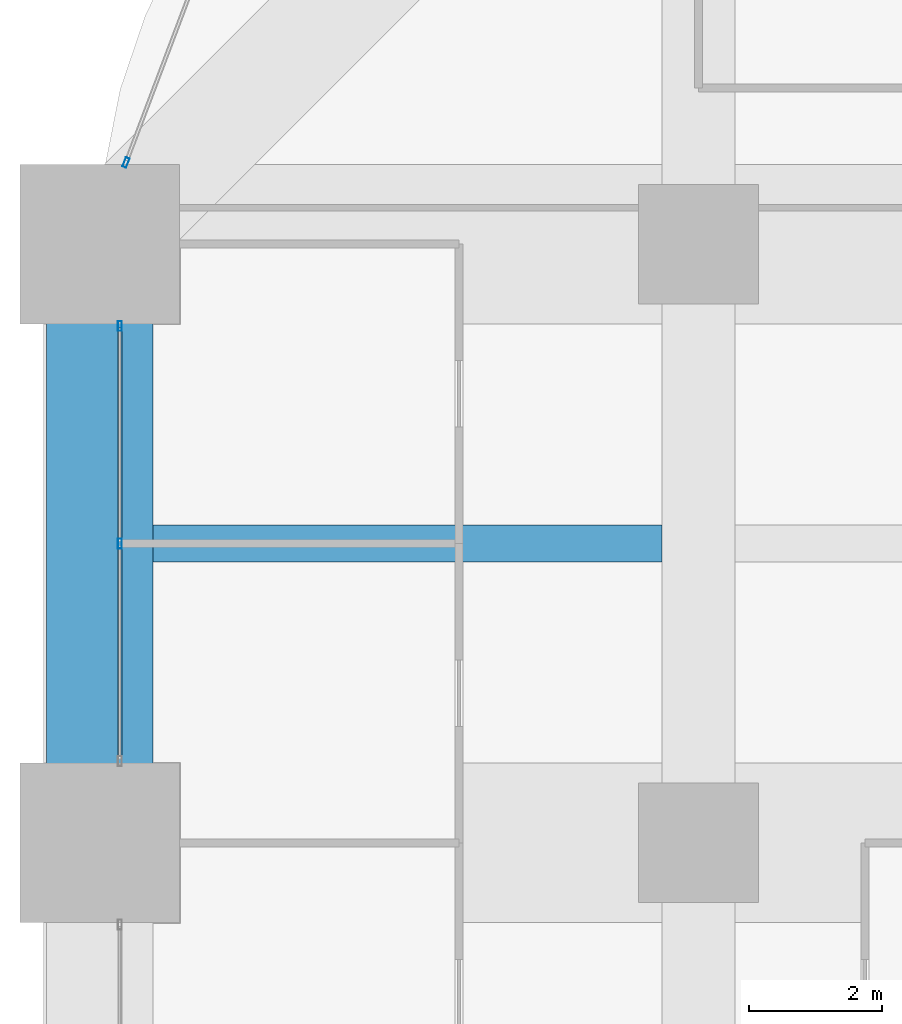
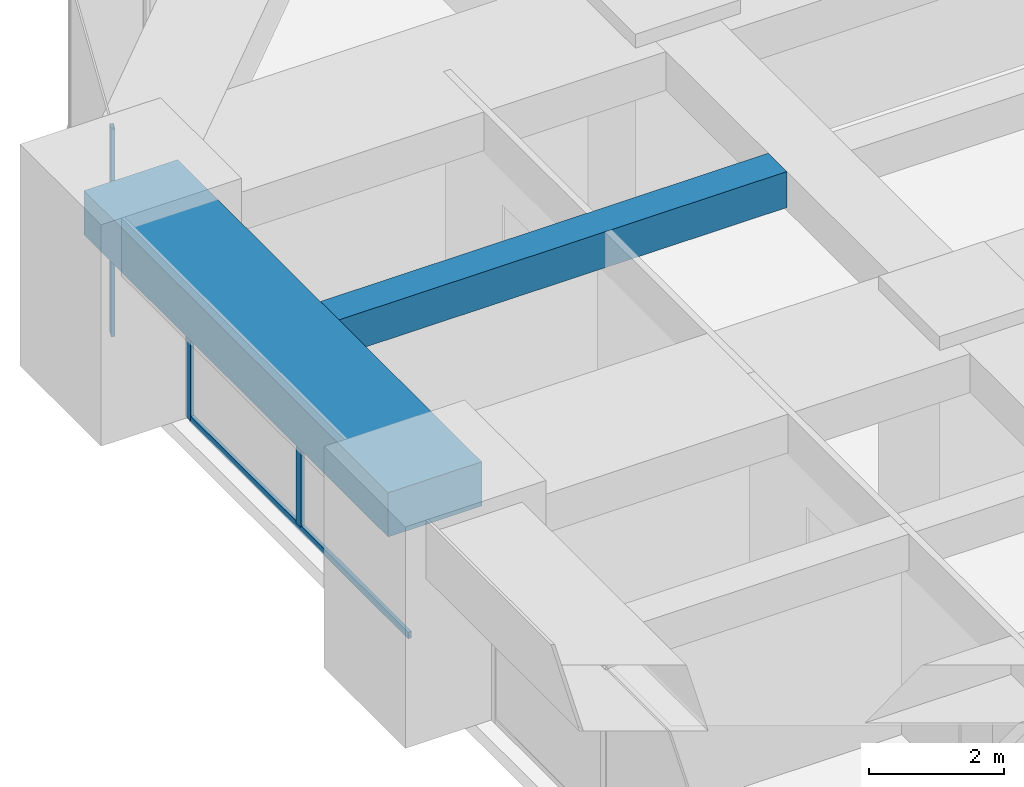
# One storey, part 24 of 43: 4 members, 2 beams, 2 elements without a shape of their own.
"""IFC4 building model written with IfcOpenShell, lengths in metres."""

from ifc_helpers import new_model, si_unit, direction, frame, origin, origin_2d, place, context, subcontext, project, spatial, rectangle, hollow_rectangle, extrude, material, material_profile, profile_set, type_object, element, aggregate, save


model = new_model("IFC4")

# Units and contexts
model_context = context("Model", 3, precision=1e-05, world=origin(), true_north=direction((0.0, 1.0)))
body_context = subcontext(model_context, "Body", "Model", "MODEL_VIEW")
ifc_project = project(units=[si_unit("LENGTHUNIT", "METRE"), si_unit("AREAUNIT", "SQUARE_METRE"), si_unit("VOLUMEUNIT", "CUBIC_METRE"), si_unit("PLANEANGLEUNIT", "RADIAN"), si_unit("MASSUNIT", "GRAM", prefix="KILO")], contexts=[model_context])

# Site, building, storey
site_placement = place(None, origin())
site = spatial("IfcSite", under=ifc_project, at=site_placement, CompositionType="ELEMENT")
building_placement = place(site_placement, origin())
building = spatial("IfcBuilding", under=site, at=building_placement, Name="Zorevar Civic Tower", CompositionType="ELEMENT")
storey_placement = place(building_placement, frame((0.0, 0.0, 141.0)))
storey = spatial("IfcBuildingStorey", under=building, at=storey_placement, Name="L34", CompositionType="ELEMENT", Elevation=141.0)

# Beam
ifc_material_1 = material(Name="Concrete C50/60", Category="concrete")
ifc_material_profile_1 = material_profile(ifc_material_1, rectangle(XDim=0.550048828125, YDim=0.64990234375, at=origin_2d()), Name="RC 550x650")
ifc_profile_set_1 = profile_set([ifc_material_profile_1], Name="Concrete C50/60")
beam_type_1 = type_object("IfcBeamType", Name="Beam RC 550x650", PredefinedType="BEAM", material=ifc_profile_set_1)
beam_1_placement = place(storey_placement, frame((0.800048828125, 31.5, 3.425048828125), z_axis=(1.0, 0.0, 0.0), x_axis=(0.0, 1.0, 0.0)))
element("IfcBeam", 1, at=beam_1_placement, inside=storey, type_object=beam_type_1, Name="Secondary beam L35", PredefinedType="BEAM", context=body_context, shape_type="SweptSolid", body=[
    extrude(rectangle(XDim=0.550048828125, YDim=0.64990234375, at=origin_2d()), origin(), (0.0, 0.0, 1.0), 7.64990234375),
])

# Curtain wall, members
ifc_material_2 = material(Name="Dark grey solar-control glass in black aluminium frame", Category="aluminium")
curtain_wall_type = type_object("IfcCurtainWallType", Name="Curtain wall CW3 mid zone", PredefinedType="NOTDEFINED", material=ifc_material_2)
curtain_wall_1_placement = place(storey_placement, origin())
curtain_wall_1 = element("IfcCurtainWall", 2, at=curtain_wall_1_placement, inside=storey, type_object=curtain_wall_type, Name="CW3 L34", PredefinedType="NOTDEFINED")
ifc_material_3 = material(Name="Aluminium, black anodised", Category="aluminium")
ifc_material_profile_2 = material_profile(ifc_material_3, hollow_rectangle(XDim=0.06005859375, YDim=0.14990234375, WallThickness=0.00390625, at=origin_2d()), Name="AL 150x60x4")
ifc_profile_set_2 = profile_set([ifc_material_profile_2], Name="Aluminium, black anodised")
member_type_1 = type_object("IfcMemberType", Name="CW3 mullion AL 150x60x4", PredefinedType="MULLION", material=ifc_profile_set_2)
member_1_placement = place(storey_placement, frame((0.300048828125, 31.5, 0.06005859375), z_axis=(0.0, 0.0, 1.0), x_axis=(-1.0, 0.0, 0.0)))
member_1 = element("IfcMember", 3, at=member_1_placement, type_object=member_type_1, Name="CW3 mullion 2", PredefinedType="MULLION", context=body_context, shape_type="SweptSolid", body=[
    extrude(hollow_rectangle(XDim=0.06005859375, YDim=0.14990234375, WallThickness=0.00390625, at=origin_2d()), origin(), (0.0, 0.0, 1.0), 2.889892578125),
])
member_2_placement = place(storey_placement, frame((0.300048828125, 34.77001953125, 0.0), z_axis=(0.0, 0.0, 1.0), x_axis=(-1.0, 0.0, 0.0)))
member_2 = element("IfcMember", 4, at=member_2_placement, type_object=member_type_1, Name="CW3 mullion 3", PredefinedType="MULLION", context=body_context, shape_type="SweptSolid", body=[
    extrude(hollow_rectangle(XDim=0.06005859375, YDim=0.14990234375, WallThickness=0.00390625, at=origin_2d()), origin(), (0.0, 0.0, 1.0), 2.949951171875),
])

# Curtain wall, member
curtain_wall_2_placement = place(storey_placement, origin())
curtain_wall_2 = element("IfcCurtainWall", 5, at=curtain_wall_2_placement, inside=storey, type_object=curtain_wall_type, Name="CW3 L34", PredefinedType="NOTDEFINED")
member_3_placement = place(storey_placement, frame((0.393798828125, 37.22802734375, 0.0), z_axis=(0.0, 0.0, 1.0), x_axis=(0.935276561184, -0.353917722218, 0.0)))
member_3 = element("IfcMember", 6, at=member_3_placement, type_object=member_type_1, Name="CW3 mullion 2", PredefinedType="MULLION", context=body_context, shape_type="SweptSolid", body=[
    extrude(hollow_rectangle(XDim=0.06005859375, YDim=0.14990234375, WallThickness=0.00390625, at=origin_2d()), origin(), (0.0, 0.0, 1.0), 3.75),
])
aggregate(curtain_wall_2, [member_3])

# Member
ifc_material_4 = material(Name="Aluminium, black anodised", Category="aluminium")
ifc_material_profile_3 = material_profile(ifc_material_4, hollow_rectangle(XDim=0.06005859375, YDim=0.1201171875, WallThickness=0.0029296875, at=origin_2d()), Name="AL 120x60x3")
ifc_profile_set_3 = profile_set([ifc_material_profile_3], Name="Aluminium, black anodised")
member_type_2 = type_object("IfcMemberType", Name="CW3 transom AL 120x60x3", PredefinedType="USERDEFINED", material=ifc_profile_set_3)
member_4_placement = place(storey_placement, frame((0.300048828125, 28.260009765625, 0.030029296875), z_axis=(0.0, 1.0, 0.0), x_axis=(-1.0, 0.0, 0.0)))
member_4 = element("IfcMember", 7, at=member_4_placement, type_object=member_type_2, Name="CW3 sill transom", ObjectType="TRANSOM", PredefinedType="USERDEFINED", context=body_context, shape_type="SweptSolid", body=[
    extrude(hollow_rectangle(XDim=0.06005859375, YDim=0.1201171875, WallThickness=0.0029296875, at=origin_2d()), origin(), (0.0, 0.0, 1.0), 6.47998046875),
])

aggregate(curtain_wall_1, [member_1, member_2, member_4])

# Beam
ifc_material_5 = material(Name="Concrete C50/60", Category="concrete")
ifc_material_profile_4 = material_profile(ifc_material_5, rectangle(XDim=1.60009765625, YDim=0.800048828125, at=origin_2d()), Name="RC 1600x800")
ifc_profile_set_4 = profile_set([ifc_material_profile_4], Name="Concrete C50/60")
beam_type_2 = type_object("IfcBeamType", Name="Edge beam RC 1600x800", PredefinedType="SPANDREL", material=ifc_profile_set_4)
beam_2_placement = place(storey_placement, frame((0.0, 27.0, 3.35009765625), z_axis=(0.0, 1.0, 0.0), x_axis=(-1.0, 0.0, 0.0)))
element("IfcBeam", 8, at=beam_2_placement, inside=storey, type_object=beam_type_2, Name="Edge beam L35", PredefinedType="SPANDREL", context=body_context, shape_type="SweptSolid", body=[
    extrude(rectangle(XDim=1.60009765625, YDim=0.800048828125, at=origin_2d()), origin(), (0.0, 0.0, 1.0), 9.0),
])

save(model, "model.ifc")
